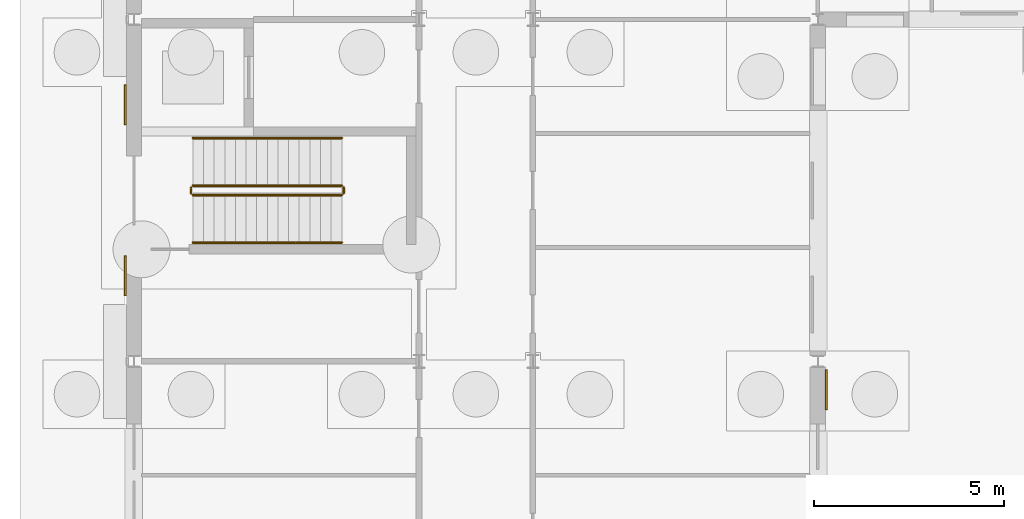
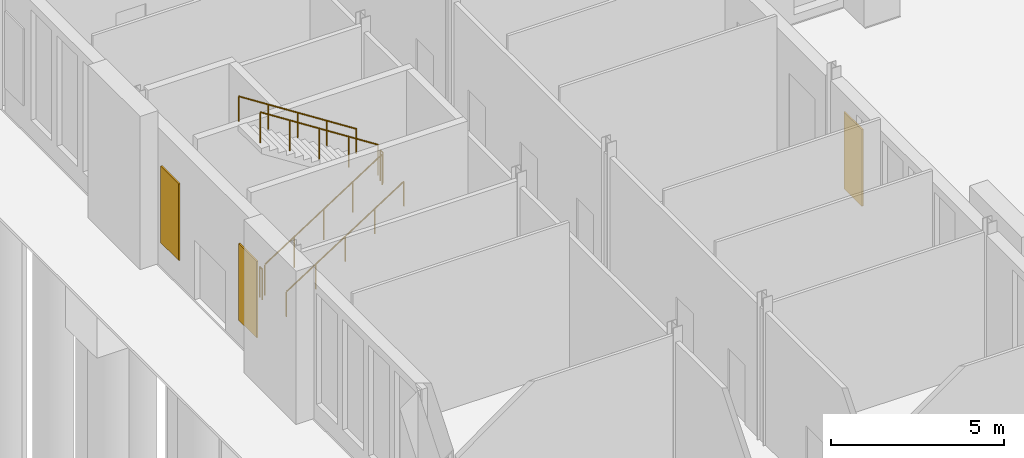
# One storey, part 139 of 168: 6 railings, 3 coverings.
"""IFC4 building model written with IfcOpenShell, lengths in metres."""

from ifc_helpers import new_model, si_unit, direction, frame, origin, origin_2d, place, context, subcontext, project, spatial, polyline, circle, outline, extrude, material, layer, layer_set, type_object, element, save


model = new_model("IFC4")

# Units and contexts
model_context = context("Model", 3, precision=1e-05, world=origin(), true_north=direction((0.0, 1.0)))
body_context = subcontext(model_context, "Body", "Model", "MODEL_VIEW")
ifc_project = project(units=[si_unit("LENGTHUNIT", "METRE"), si_unit("AREAUNIT", "SQUARE_METRE"), si_unit("VOLUMEUNIT", "CUBIC_METRE"), si_unit("PLANEANGLEUNIT", "RADIAN"), si_unit("MASSUNIT", "GRAM", prefix="KILO")], contexts=[model_context])

# Site, building, storey
site_placement = place(None, origin())
site = spatial("IfcSite", under=ifc_project, at=site_placement, CompositionType="ELEMENT")
building_placement = place(site_placement, origin())
building = spatial("IfcBuilding", under=site, at=building_placement, Name="Golden Quay Civic Hall", CompositionType="ELEMENT")
storey_placement = place(building_placement, origin())
storey = spatial("IfcBuildingStorey", under=building, at=storey_placement, Name="L00", CompositionType="ELEMENT", Elevation=0.0)

# Railings
ifc_material_1 = material(Name="Steel S355", Category="steel")
railing_type_1 = type_object("IfcRailingType", Name="Steel guard 1100", PredefinedType="GUARDRAIL", material=ifc_material_1)
railing_1_placement = place(storey_placement, frame((1.550048828125, 58.375, 0.179931640625)))
element("IfcRailing", 1, at=railing_1_placement, inside=storey, type_object=railing_type_1, Name="L00 WO-N stair guard 1", PredefinedType="GUARDRAIL", context=body_context, shape_type="SweptSolid", body=[
    extrude(circle(Radius=0.02392578125, at=origin_2d()), frame((0.0, 0.0, 1.076171875), z_axis=(0.841171666519, 0.0, 0.540768182723), x_axis=(0.0, 1.0, 0.0)), (0.0, 0.0, 1.0), 4.66015625),
    extrude(circle(Radius=0.02099609375, at=origin_2d()), origin(), (0.0, 0.0, 1.0), 1.052001953125),
    extrude(circle(Radius=0.02099609375, at=origin_2d()), frame((0.97998046875, 0.0, 0.6298828125)), (0.0, 0.0, 1.0), 1.052001953125),
    extrude(circle(Radius=0.02099609375, at=origin_2d()), frame((1.9599609375, 0.0, 1.260009765625)), (0.0, 0.0, 1.0), 1.052001953125),
    extrude(circle(Radius=0.02099609375, at=origin_2d()), frame((2.93994140625, 0.0, 1.89013671875)), (0.0, 0.0, 1.0), 1.052001953125),
    extrude(circle(Radius=0.02099609375, at=origin_2d()), frame((3.919921875, 0.0, 2.52001953125)), (0.0, 0.0, 1.0), 1.052001953125),
])
railing_2_placement = place(storey_placement, frame((5.52001953125, 58.425048828125, 2.699951171875)))
element("IfcRailing", 2, at=railing_2_placement, inside=storey, type_object=railing_type_1, Name="L00 WO-N stair guard 2", PredefinedType="GUARDRAIL", context=body_context, shape_type="SweptSolid", body=[
    extrude(circle(Radius=0.02392578125, at=origin_2d()), frame((0.0, 0.0, 1.076171875), z_axis=(0.0, 1.0, 0.0), x_axis=(-1.0, 0.0, 0.0)), (0.0, 0.0, 1.0), 0.14990234375),
    extrude(circle(Radius=0.02099609375, at=origin_2d()), origin(), (0.0, 0.0, 1.0), 1.052001953125),
    extrude(circle(Radius=0.02099609375, at=origin_2d()), frame((0.0, 0.14990234375, 0.0)), (0.0, 0.0, 1.0), 1.052001953125),
])
railing_3_placement = place(storey_placement, frame((5.469970703125, 58.625, 2.8798828125)))
element("IfcRailing", 3, at=railing_3_placement, inside=storey, type_object=railing_type_1, Name="L00 WO-N stair guard 3", PredefinedType="GUARDRAIL", context=body_context, shape_type="SweptSolid", body=[
    extrude(circle(Radius=0.02392578125, at=origin_2d()), frame((0.0, 0.0, 1.076171875), z_axis=(-0.841171666519, 0.0, 0.540768182723), x_axis=(0.0, -1.0, 0.0)), (0.0, 0.0, 1.0), 4.66015625),
    extrude(circle(Radius=0.02099609375, at=origin_2d()), origin(), (0.0, 0.0, 1.0), 1.052001953125),
    extrude(circle(Radius=0.02099609375, at=origin_2d()), frame((-0.97998046875, 0.0, 0.6298828125)), (0.0, 0.0, 1.0), 1.052001953125),
    extrude(circle(Radius=0.02099609375, at=origin_2d()), frame((-1.9599609375, 0.0, 1.260009765625)), (0.0, 0.0, 1.0), 1.052001953125),
    extrude(circle(Radius=0.02099609375, at=origin_2d()), frame((-2.93994140625, 0.0, 1.89013671875)), (0.0, 0.0, 1.0), 1.052001953125),
    extrude(circle(Radius=0.02099609375, at=origin_2d()), frame((-3.919921875, 0.0, 2.52001953125)), (0.0, 0.0, 1.0), 1.052001953125),
])
railing_4_placement = place(storey_placement, frame((1.5, 58.425048828125, 0.0)))
element("IfcRailing", 4, at=railing_4_placement, inside=storey, type_object=railing_type_1, Name="L00 WO-N stair guard 4", PredefinedType="GUARDRAIL", context=body_context, shape_type="SweptSolid", body=[
    extrude(circle(Radius=0.02392578125, at=origin_2d()), frame((0.0, 0.0, 1.076171875), z_axis=(0.0, 1.0, 0.0), x_axis=(-1.0, 0.0, 0.0)), (0.0, 0.0, 1.0), 0.14990234375),
    extrude(circle(Radius=0.02099609375, at=origin_2d()), origin(), (0.0, 0.0, 1.0), 1.052001953125),
    extrude(circle(Radius=0.02099609375, at=origin_2d()), frame((0.0, 0.14990234375, 0.0)), (0.0, 0.0, 1.0), 1.052001953125),
])
ifc_material_2 = material(Name="Steel S355", Category="steel")
railing_type_2 = type_object("IfcRailingType", Name="Steel handrail 900", PredefinedType="HANDRAIL", material=ifc_material_2)
railing_5_placement = place(storey_placement, frame((1.550048828125, 57.125, 0.179931640625)))
element("IfcRailing", 5, at=railing_5_placement, inside=storey, type_object=railing_type_2, Name="L00 WO-N stair handrail 1", PredefinedType="HANDRAIL", context=body_context, shape_type="SweptSolid", body=[
    extrude(circle(Radius=0.02392578125, at=origin_2d()), frame((0.0, 0.0, 0.8759765625), z_axis=(0.841171666519, 0.0, 0.540768182723), x_axis=(0.0, 1.0, 0.0)), (0.0, 0.0, 1.0), 4.66015625),
    extrude(circle(Radius=0.02099609375, at=origin_2d()), origin(), (0.0, 0.0, 1.0), 0.851806640625),
    extrude(circle(Radius=0.02099609375, at=origin_2d()), frame((0.97998046875, 0.0, 0.6298828125)), (0.0, 0.0, 1.0), 0.851806640625),
    extrude(circle(Radius=0.02099609375, at=origin_2d()), frame((1.9599609375, 0.0, 1.260009765625)), (0.0, 0.0, 1.0), 0.851806640625),
    extrude(circle(Radius=0.02099609375, at=origin_2d()), frame((2.93994140625, 0.0, 1.89013671875)), (0.0, 0.0, 1.0), 0.851806640625),
    extrude(circle(Radius=0.02099609375, at=origin_2d()), frame((3.919921875, 0.0, 2.52001953125)), (0.0, 0.0, 1.0), 0.851806640625),
])
railing_6_placement = place(storey_placement, frame((5.469970703125, 59.875, 2.8798828125)))
element("IfcRailing", 6, at=railing_6_placement, inside=storey, type_object=railing_type_2, Name="L00 WO-N stair handrail 2", PredefinedType="HANDRAIL", context=body_context, shape_type="SweptSolid", body=[
    extrude(circle(Radius=0.02392578125, at=origin_2d()), frame((0.0, 0.0, 0.8759765625), z_axis=(-0.841171666519, 0.0, 0.540768182723), x_axis=(0.0, -1.0, 0.0)), (0.0, 0.0, 1.0), 4.66015625),
    extrude(circle(Radius=0.02099609375, at=origin_2d()), origin(), (0.0, 0.0, 1.0), 0.851806640625),
    extrude(circle(Radius=0.02099609375, at=origin_2d()), frame((-0.97998046875, 0.0, 0.6298828125)), (0.0, 0.0, 1.0), 0.851806640625),
    extrude(circle(Radius=0.02099609375, at=origin_2d()), frame((-1.9599609375, 0.0, 1.260009765625)), (0.0, 0.0, 1.0), 0.851806640625),
    extrude(circle(Radius=0.02099609375, at=origin_2d()), frame((-2.93994140625, 0.0, 1.89013671875)), (0.0, 0.0, 1.0), 0.851806640625),
    extrude(circle(Radius=0.02099609375, at=origin_2d()), frame((-3.919921875, 0.0, 2.52001953125)), (0.0, 0.0, 1.0), 0.851806640625),
])

# Coverings
ifc_material_3 = material(Name="Terracotta cladding, golden glaze", Category="masonry")
ifc_layer = layer(ifc_material_3, 0.050048828125)
ifc_layer_set = layer_set([ifc_layer], Name="Terracotta solid panel 1050 x 2700 x 50")
covering_type = type_object("IfcCoveringType", Name="Terracotta solid panel 1050 x 2700 x 50", PredefinedType="CLADDING", material=ifc_layer_set)
covering_1_placement = place(storey_placement, frame((0.0, 0.0, 0.89990234375)))
element("IfcCovering", 7, at=covering_1_placement, inside=storey, type_object=covering_type, Name="Terracotta solid panel 1050 x 2700 x 50 L00 4", PredefinedType="CLADDING", context=body_context, shape_type="SweptSolid", body=[
    extrude(outline(polyline([(-0.199951171875, 55.72509765625), (-0.199951171875, 56.77490234375), (-0.25, 56.77490234375), (-0.25, 55.72509765625), (-0.199951171875, 55.72509765625)])), origin(), (0.0, 0.0, 1.0), 2.7001953125),
])
covering_2_placement = place(storey_placement, frame((0.0, 0.0, 0.89990234375)))
element("IfcCovering", 8, at=covering_2_placement, inside=storey, type_object=covering_type, Name="Terracotta solid panel 1050 x 2700 x 50 L00 5", PredefinedType="CLADDING", context=body_context, shape_type="SweptSolid", body=[
    extrude(outline(polyline([(-0.199951171875, 60.22509765625), (-0.199951171875, 61.27490234375), (-0.25, 61.27490234375), (-0.25, 60.22509765625), (-0.199951171875, 60.22509765625)])), origin(), (0.0, 0.0, 1.0), 2.7001953125),
])
covering_3_placement = place(storey_placement, frame((0.0, 0.0, 0.89990234375)))
element("IfcCovering", 9, at=covering_3_placement, inside=storey, type_object=covering_type, Name="Terracotta solid panel 1050 x 2700 x 50 L00 16", PredefinedType="CLADDING", context=body_context, shape_type="SweptSolid", body=[
    extrude(outline(polyline([(18.199951171875, 52.72509765625), (18.199951171875, 53.77490234375), (18.25, 53.77490234375), (18.25, 52.72509765625), (18.199951171875, 52.72509765625)])), origin(), (0.0, 0.0, 1.0), 2.7001953125),
])

save(model, "model.ifc")
